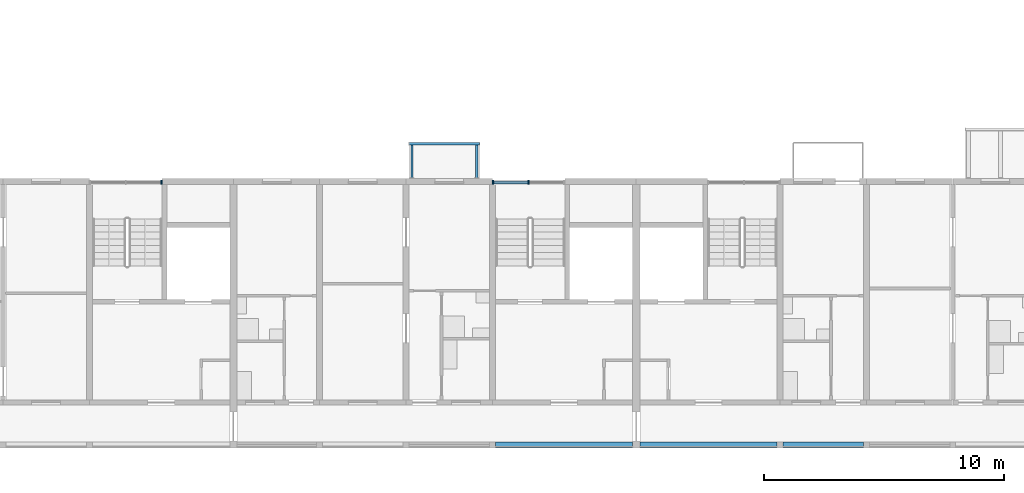
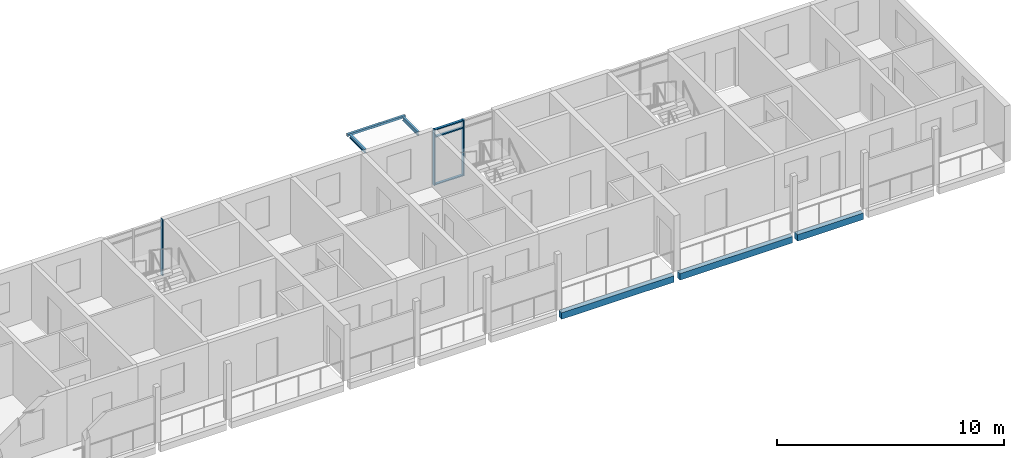
# One storey, part 9 of 98: 6 beams, 6 members, 2 elements without a shape of their own.
"""IFC4 building model written with IfcOpenShell, lengths in metres."""

from ifc_helpers import new_model, si_unit, direction, frame, origin, origin_2d, place, context, subcontext, project, spatial, rectangle, hollow_rectangle, i_section, extrude, material, material_profile, profile_set, type_object, element, aggregate, save


model = new_model("IFC4")

# Units and contexts
model_context = context("Model", 3, precision=1e-05, world=origin(), true_north=direction((0.0, 1.0)))
body_context = subcontext(model_context, "Body", "Model", "MODEL_VIEW")
ifc_project = project(units=[si_unit("LENGTHUNIT", "METRE"), si_unit("AREAUNIT", "SQUARE_METRE"), si_unit("VOLUMEUNIT", "CUBIC_METRE"), si_unit("PLANEANGLEUNIT", "RADIAN"), si_unit("MASSUNIT", "GRAM", prefix="KILO")], contexts=[model_context])

# Site, building, storey
site_placement = place(None, origin())
site = spatial("IfcSite", under=ifc_project, at=site_placement, CompositionType="ELEMENT")
building_placement = place(site_placement, origin())
building = spatial("IfcBuilding", under=site, at=building_placement, Name="Ridgestep Commons", CompositionType="ELEMENT")
storey_placement = place(building_placement, frame((0.0, 0.0, 12.0)))
storey = spatial("IfcBuildingStorey", under=building, at=storey_placement, Name="L04", CompositionType="ELEMENT", Elevation=12.0)

# Beams
ifc_material_1 = material(Name="Precast concrete C40/50", Category="concrete")
ifc_material_profile_1 = material_profile(ifc_material_1, rectangle(XDim=0.25, YDim=0.35009765625, at=origin_2d()), Name="PC 250x350")
ifc_profile_set_1 = profile_set([ifc_material_profile_1], Name="Precast concrete C40/50")
beam_type_1 = type_object("IfcBeamType", Name="Loggia edge beam 250 x 350", PredefinedType="SPANDREL", material=ifc_profile_set_1)
for number, where, z_axis, x_axis, name in (
    (1, (90.125, 11.875, -0.375), (1.0, 0.0, 0.0), (0.0, 1.0, 0.0), "Loggia edge beam A5C L04"),
    (2, (96.14990234375, 11.875, -0.375), (1.0, 0.0, 0.0), (0.0, 1.0, 0.0), "Loggia edge beam A6C L04"),
):
    element("IfcBeam", number, at=place(storey_placement, frame(where, z_axis=z_axis, x_axis=x_axis)), inside=storey, type_object=beam_type_1, Name=name, PredefinedType="SPANDREL", context=body_context, shape_type="SweptSolid", body=[
        extrude(rectangle(XDim=0.25, YDim=0.35009765625, at=origin_2d()), origin(), (0.0, 0.0, 1.0), 5.72509765625),
    ])
beam_1_placement = place(storey_placement, frame((102.125, 11.875, -0.375), z_axis=(1.0, 0.0, 0.0), x_axis=(0.0, 1.0, 0.0)))
element("IfcBeam", 3, at=beam_1_placement, inside=storey, type_object=beam_type_1, Name="Loggia edge beam A6T3 L04", PredefinedType="SPANDREL", context=body_context, shape_type="SweptSolid", body=[
    extrude(rectangle(XDim=0.25, YDim=0.35009765625, at=origin_2d()), origin(), (0.0, 0.0, 1.0), 3.35009765625),
])

# Curtain wall, member
ifc_material_2 = material(Name="Aluminium 6063-T6 and glass", Category="aluminium")
curtain_wall_type = type_object("IfcCurtainWallType", Name="Curtain wall stair strip", PredefinedType="NOTDEFINED", material=ifc_material_2)
curtain_wall_1_placement = place(storey_placement, origin())
curtain_wall_1 = element("IfcCurtainWall", 4, at=curtain_wall_1_placement, inside=storey, type_object=curtain_wall_type, Name="Curtain wall A4C level 04", PredefinedType="NOTDEFINED")
ifc_material_3 = material(Name="Aluminium 6063-T6", Category="aluminium")
ifc_material_profile_2 = material_profile(ifc_material_3, rectangle(XDim=0.159912109375, YDim=0.06005859375, at=origin_2d()), Name="Mullion 60 x 160")
ifc_profile_set_2 = profile_set([ifc_material_profile_2], Name="Aluminium 6063-T6")
member_type_1 = type_object("IfcMemberType", Name="Mullion 60 x 160", PredefinedType="MULLION", material=ifc_profile_set_2)
member_1_placement = place(storey_placement, frame((76.195068359375, 22.830078125, 0.0), z_axis=(0.0, 0.0, 1.0), x_axis=(0.0, 1.0, 0.0)))
member_1 = element("IfcMember", 5, at=member_1_placement, type_object=member_type_1, Name="CW1 mullion 3", PredefinedType="MULLION", context=body_context, shape_type="SweptSolid", body=[
    extrude(rectangle(XDim=0.159912109375, YDim=0.06005859375, at=origin_2d()), origin(), (0.0, 0.0, 1.0), 3.0),
])
aggregate(curtain_wall_1, [member_1])

# Curtain wall, members
curtain_wall_2_placement = place(storey_placement, origin())
curtain_wall_2 = element("IfcCurtainWall", 6, at=curtain_wall_2_placement, inside=storey, type_object=curtain_wall_type, Name="Curtain wall A5C level 04", PredefinedType="NOTDEFINED")
member_2_placement = place(storey_placement, frame((90.030029296875, 22.830078125, 0.0), z_axis=(0.0, 0.0, 1.0), x_axis=(0.0, 1.0, 0.0)))
member_2 = element("IfcMember", 7, at=member_2_placement, type_object=member_type_1, Name="CW1 mullion 1", PredefinedType="MULLION", context=body_context, shape_type="SweptSolid", body=[
    extrude(rectangle(XDim=0.159912109375, YDim=0.06005859375, at=origin_2d()), origin(), (0.0, 0.0, 1.0), 3.0),
])
member_3_placement = place(storey_placement, frame((91.512451171875, 22.830078125, 0.0), z_axis=(0.0, 0.0, 1.0), x_axis=(0.0, 1.0, 0.0)))
member_3 = element("IfcMember", 8, at=member_3_placement, type_object=member_type_1, Name="CW1 mullion 2", PredefinedType="MULLION", context=body_context, shape_type="SweptSolid", body=[
    extrude(rectangle(XDim=0.159912109375, YDim=0.06005859375, at=origin_2d()), origin(), (0.0, 0.0, 1.0), 3.0),
])
ifc_material_4 = material(Name="Aluminium 6063-T6", Category="aluminium")
ifc_material_profile_3 = material_profile(ifc_material_4, rectangle(XDim=0.1201171875, YDim=0.06005859375, at=origin_2d()), Name="Transom 60 x 120")
ifc_profile_set_3 = profile_set([ifc_material_profile_3], Name="Aluminium 6063-T6")
member_type_2 = type_object("IfcMemberType", Name="Transom 60 x 120", PredefinedType="USERDEFINED", material=ifc_profile_set_3)
member_4_placement = place(storey_placement, frame((90.06005859375, 22.830078125, 0.030029296875), z_axis=(1.0, 0.0, 0.0), x_axis=(0.0, 1.0, 0.0)))
member_4 = element("IfcMember", 9, at=member_4_placement, type_object=member_type_2, Name="CW1 transom 1.1", ObjectType="TRANSOM", PredefinedType="USERDEFINED", context=body_context, shape_type="SweptSolid", body=[
    extrude(rectangle(XDim=0.1201171875, YDim=0.06005859375, at=origin_2d()), origin(), (0.0, 0.0, 1.0), 1.42236328125),
])
member_5_placement = place(storey_placement, frame((90.06005859375, 22.830078125, 2.590087890625), z_axis=(1.0, 0.0, 0.0), x_axis=(0.0, 1.0, 0.0)))
member_5 = element("IfcMember", 10, at=member_5_placement, type_object=member_type_2, Name="CW1 transom 1.2", ObjectType="TRANSOM", PredefinedType="USERDEFINED", context=body_context, shape_type="SweptSolid", body=[
    extrude(rectangle(XDim=0.1201171875, YDim=0.06005859375, at=origin_2d()), origin(), (0.0, 0.0, 1.0), 1.42236328125),
])
member_6_placement = place(storey_placement, frame((90.06005859375, 22.830078125, 2.969970703125), z_axis=(1.0, 0.0, 0.0), x_axis=(0.0, 1.0, 0.0)))
member_6 = element("IfcMember", 11, at=member_6_placement, type_object=member_type_2, Name="CW1 transom 1.3", ObjectType="TRANSOM", PredefinedType="USERDEFINED", context=body_context, shape_type="SweptSolid", body=[
    extrude(rectangle(XDim=0.1201171875, YDim=0.06005859375, at=origin_2d()), origin(), (0.0, 0.0, 1.0), 1.42236328125),
])
aggregate(curtain_wall_2, [member_2, member_3, member_4, member_5, member_6])

# Beams
ifc_material_5 = material(Name="Weathering steel S355J2W", Category="steel")
ifc_material_profile_4 = material_profile(ifc_material_5, i_section(OverallWidth=0.101806640625, OverallDepth=0.203125, WebThickness=0.00537109375, FlangeThickness=0.00927734375, FilletRadius=0.007568359375, at=origin_2d()), Name="UB 203x102x23")
ifc_profile_set_4 = profile_set([ifc_material_profile_4], Name="Weathering steel S355J2W")
beam_type_2 = type_object("IfcBeamType", Name="Tray arm UB 203x102x23", PredefinedType="BEAM", material=ifc_profile_set_4)
for number, where, z_axis, x_axis, name in (
    (12, (86.64990234375, 23.014892578125, 2.888427734375), (0.0, 1.0, 0.0), (-1.0, 0.0, 0.0), "Tray arm A5T3-05.1"),
    (13, (89.35009765625, 23.014892578125, 2.888427734375), (0.0, 1.0, 0.0), (-1.0, 0.0, 0.0), "Tray arm A5T3-05.2"),
):
    element("IfcBeam", number, at=place(storey_placement, frame(where, z_axis=z_axis, x_axis=x_axis)), inside=storey, type_object=beam_type_2, Name=name, PredefinedType="BEAM", context=body_context, shape_type="SweptSolid", body=[
        extrude(i_section(OverallWidth=0.101806640625, OverallDepth=0.203125, WebThickness=0.00537109375, FlangeThickness=0.00927734375, FilletRadius=0.007568359375, at=origin_2d()), origin(), (0.0, 0.0, 1.0), 1.364990234375),
    ])
ifc_material_6 = material(Name="Weathering steel S355J2W", Category="steel")
ifc_material_profile_5 = material_profile(ifc_material_6, hollow_rectangle(XDim=0.1201171875, YDim=0.1201171875, WallThickness=0.00634765625, InnerFilletRadius=0.00634765625, OuterFilletRadius=0.009521484375, at=origin_2d()), Name="SHS 120x120x6.3")
ifc_profile_set_5 = profile_set([ifc_material_profile_5], Name="Weathering steel S355J2W")
beam_type_3 = type_object("IfcBeamType", Name="Tray edge member SHS 120x120x6.3", PredefinedType="BEAM", material=ifc_profile_set_5)
beam_2_placement = place(storey_placement, frame((86.530029296875, 24.43994140625, 2.929931640625), z_axis=(1.0, 0.0, 0.0), x_axis=(0.0, 0.0, 1.0)))
element("IfcBeam", 14, at=beam_2_placement, inside=storey, type_object=beam_type_3, Name="Tray edge member A5T3-05", PredefinedType="BEAM", context=body_context, shape_type="SweptSolid", body=[
    extrude(hollow_rectangle(XDim=0.1201171875, YDim=0.1201171875, WallThickness=0.00634765625, InnerFilletRadius=0.00634765625, OuterFilletRadius=0.009521484375, at=origin_2d()), origin(), (0.0, 0.0, 1.0), 2.93994140625),
])

save(model, "model.ifc")
